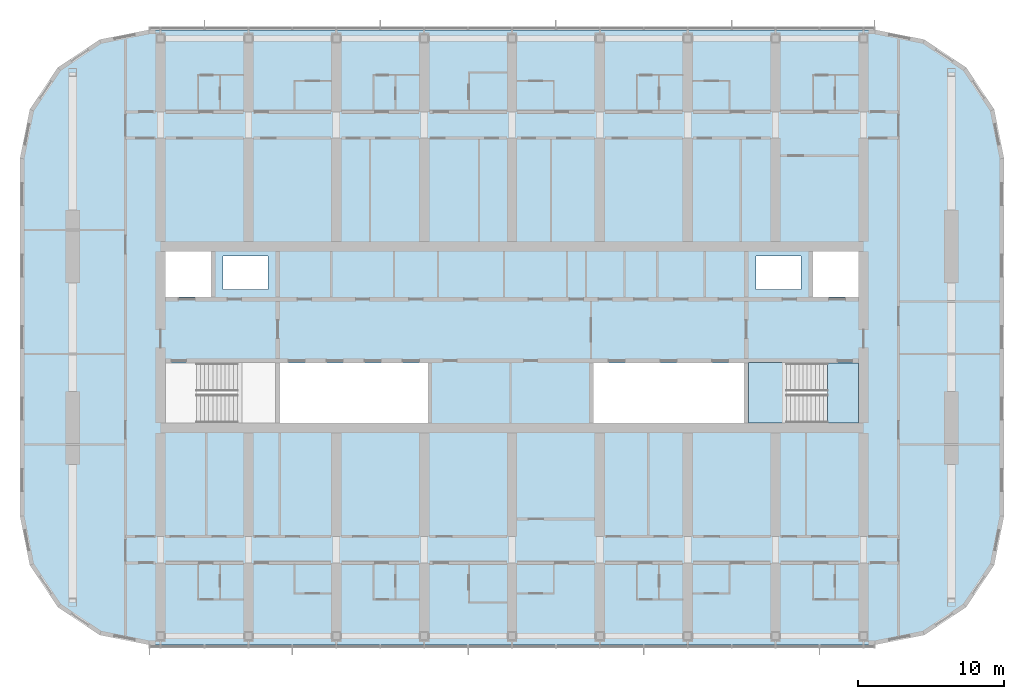
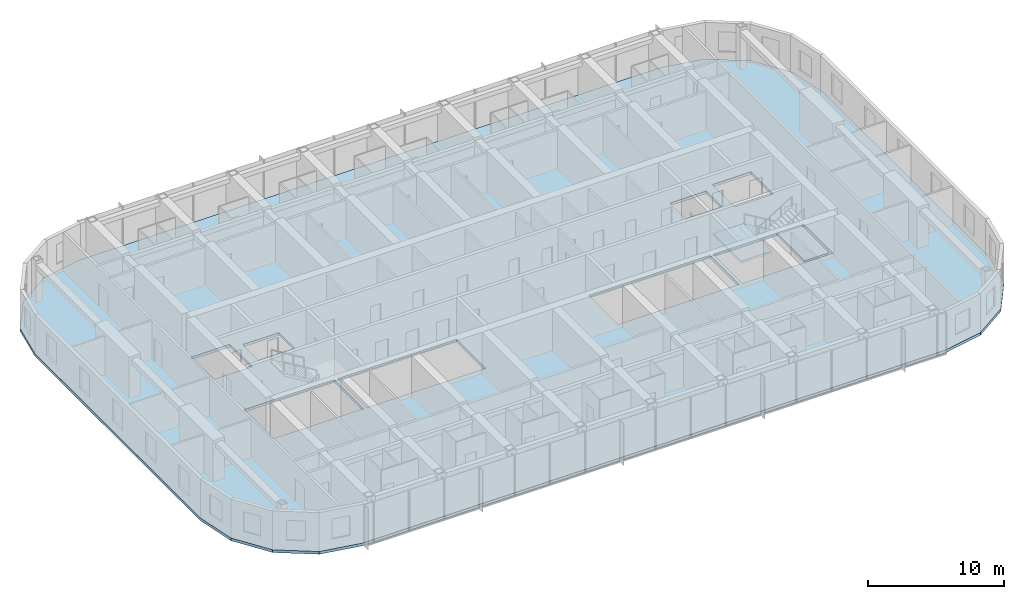
# One storey, part 8 of 23: 3 slabs, 1 element without a shape of its own.
"""IFC4 building model written with IfcOpenShell, lengths in metres."""

from ifc_helpers import new_model, si_unit, direction, frame, origin, place, context, subcontext, project, spatial, polyline, outline, extrude, material, layer, layer_set, type_object, element, aggregate, save


model = new_model("IFC4")

# Units and contexts
model_context = context("Model", 3, precision=1e-05, world=origin(), true_north=direction((0.0, 1.0)))
body_context = subcontext(model_context, "Body", "Model", "MODEL_VIEW")
ifc_project = project(units=[si_unit("LENGTHUNIT", "METRE"), si_unit("AREAUNIT", "SQUARE_METRE"), si_unit("VOLUMEUNIT", "CUBIC_METRE"), si_unit("PLANEANGLEUNIT", "RADIAN"), si_unit("MASSUNIT", "GRAM", prefix="KILO")], contexts=[model_context])

# Site, building, storey
site_placement = place(None, origin())
site = spatial("IfcSite", under=ifc_project, at=site_placement, CompositionType="ELEMENT")
building_placement = place(site_placement, origin())
building = spatial("IfcBuilding", under=site, at=building_placement, Name="Orbita Commons", CompositionType="ELEMENT")
storey_placement = place(building_placement, frame((0.0, 0.0, 224.050048828125)))
storey = spatial("IfcBuildingStorey", under=building, at=storey_placement, Name="L55", CompositionType="ELEMENT", Elevation=224.050048828125)

# Slab
ifc_material_1 = material(Name="Concrete C40/50", Category="concrete")
ifc_layer_1 = layer(ifc_material_1, 0.25)
ifc_layer_set_1 = layer_set([ifc_layer_1], Name="Concrete C40/50")
slab_type_1 = type_object("IfcSlabType", Name="Floor slab 250", PredefinedType="FLOOR", material=ifc_layer_set_1)
slab_1_placement = place(storey_placement, frame((0.0, 0.0, -0.25)))
element("IfcSlab", 1, at=slab_1_placement, inside=storey, type_object=slab_type_1, Name="Floor slab L55", PredefinedType="FLOOR", context=body_context, shape_type="SweptSolid", body=[
    extrude(outline(polyline([(66.800048828125, 11.0), (70.167724609375, 11.669921875), (73.0224609375, 13.577392578125), (74.93017578125, 16.432373046875), (75.60009765625, 19.800048828125), (75.60009765625, 44.199951171875), (74.93017578125, 47.567626953125), (73.0224609375, 50.422607421875), (70.167724609375, 52.330078125), (66.800048828125, 53.0), (17.199951171875, 53.0), (13.832275390625, 52.330078125), (10.9775390625, 50.422607421875), (9.06982421875, 47.567626953125), (8.39990234375, 44.199951171875), (8.39990234375, 19.800048828125), (9.06982421875, 16.432373046875), (10.9775390625, 13.577392578125), (13.832275390625, 11.669921875), (17.199951171875, 11.0), (66.800048828125, 11.0)]), holes=[polyline([(18.14990234375, 25.949951171875), (25.85009765625, 25.949951171875), (25.85009765625, 30.25), (18.14990234375, 30.25), (18.14990234375, 25.949951171875)]), polyline([(58.14990234375, 25.949951171875), (65.85009765625, 25.949951171875), (65.85009765625, 30.25), (58.14990234375, 30.25), (58.14990234375, 25.949951171875)]), polyline([(18.14990234375, 34.75), (21.449951171875, 34.75), (21.449951171875, 38.050048828125), (18.14990234375, 38.050048828125), (18.14990234375, 34.75)]), polyline([(62.550048828125, 34.75), (65.85009765625, 34.75), (65.85009765625, 38.050048828125), (62.550048828125, 38.050048828125), (62.550048828125, 34.75)]), polyline([(22.25, 35.25), (25.35009765625, 35.25), (25.35009765625, 37.550048828125), (22.25, 37.550048828125), (22.25, 35.25)]), polyline([(58.64990234375, 35.25), (61.75, 35.25), (61.75, 37.550048828125), (58.64990234375, 37.550048828125), (58.64990234375, 35.25)]), polyline([(26.14990234375, 25.949951171875), (36.25, 25.949951171875), (36.25, 30.25), (26.14990234375, 30.25), (26.14990234375, 25.949951171875)]), polyline([(47.550048828125, 25.949951171875), (57.85009765625, 25.949951171875), (57.85009765625, 30.25), (47.550048828125, 30.25), (47.550048828125, 25.949951171875)])]), origin(), (0.0, 0.0, 1.0), 0.25),
])

# Stair, slabs
ifc_material_2 = material(Name="Precast concrete C40/50", Category="concrete")
stair_type = type_object("IfcStairType", Name="Exit stair S2 2 flights 11 risers 170", PredefinedType="HALF_TURN_STAIR", material=ifc_material_2)
stair_placement = place(storey_placement, origin())
stair = element("IfcStair", 2, at=stair_placement, inside=storey, type_object=stair_type, Name="Exit stair S2 L55", PredefinedType="HALF_TURN_STAIR")
ifc_material_3 = material(Name="Concrete C40/50", Category="concrete")
ifc_layer_2 = layer(ifc_material_3, 0.199951171875)
ifc_layer_set_2 = layer_set([ifc_layer_2], Name="Concrete C40/50")
slab_type_2 = type_object("IfcSlabType", Name="Stair landing 200", PredefinedType="LANDING", material=ifc_layer_set_2)
slab_2_placement = place(storey_placement, frame((0.0, 0.0, -0.199951171875)))
slab_2 = element("IfcSlab", 3, at=slab_2_placement, type_object=slab_type_2, Name="S2 landing 1", PredefinedType="LANDING", context=body_context, shape_type="SweptSolid", body=[
    extrude(outline(polyline([(63.550048828125, 26.14990234375), (65.64990234375, 26.14990234375), (65.64990234375, 30.25), (63.550048828125, 30.25), (63.550048828125, 26.14990234375)])), origin(), (0.0, 0.0, 1.0), 0.199951171875),
])
slab_3_placement = place(storey_placement, frame((0.0, 0.0, 1.675048828125)))
slab_3 = element("IfcSlab", 4, at=slab_3_placement, type_object=slab_type_2, Name="S2 landing 2", PredefinedType="LANDING", context=body_context, shape_type="SweptSolid", body=[
    extrude(outline(polyline([(58.135009765625, 26.135009765625), (60.75, 26.135009765625), (60.75, 30.264892578125), (58.135009765625, 30.264892578125), (58.135009765625, 26.135009765625)])), origin(), (0.0, 0.0, 1.0), 0.199951171875),
])
aggregate(stair, [slab_2, slab_3])

save(model, "model.ifc")
